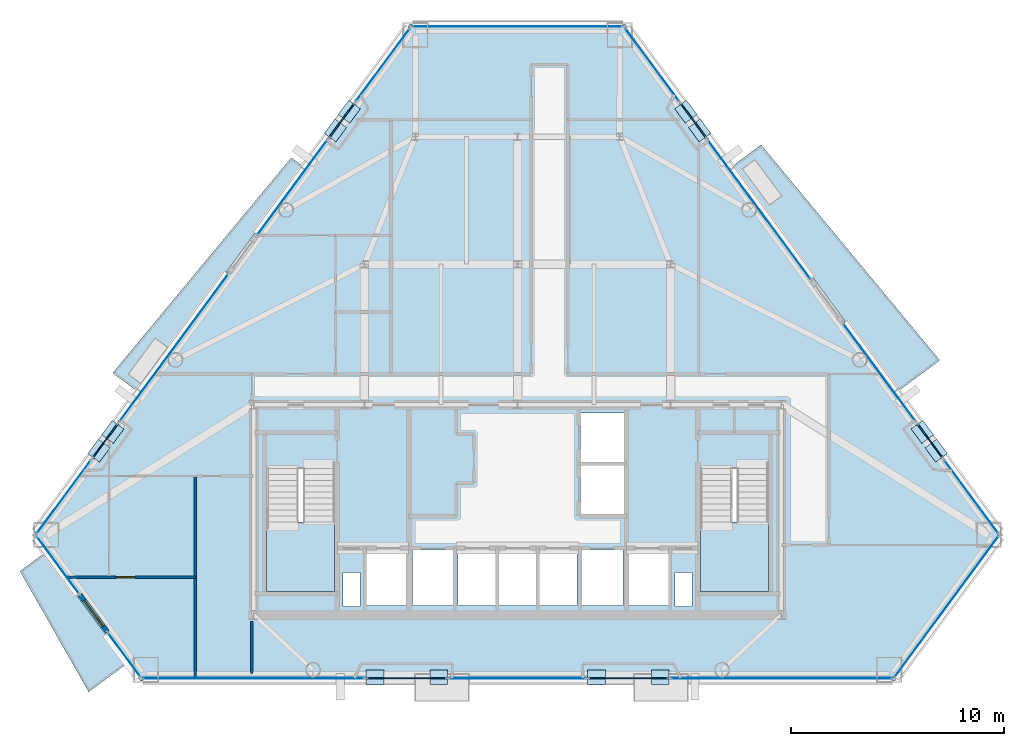
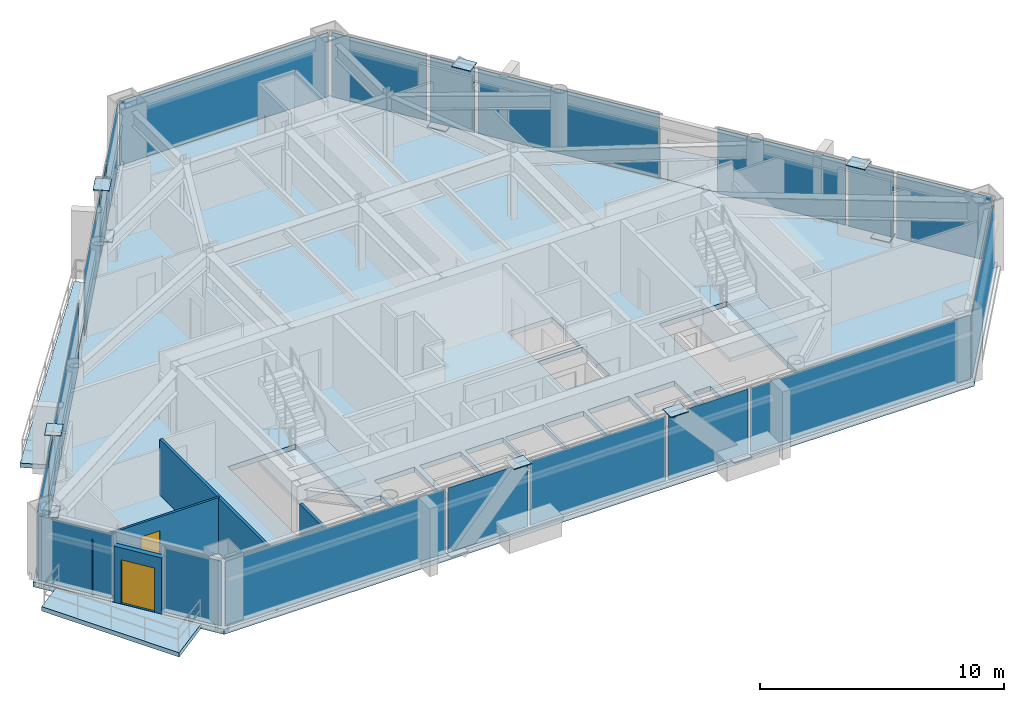
# One storey, part 6 of 11: 33 plates, 6 slabs, 4 walls, 2 doors, 2 openings, 23 elements without a shape of their own.
"""IFC4 building model written with IfcOpenShell, lengths in metres."""

import ifcopenshell
import ifcopenshell.guid

model = None  # the IFC model being written
_history = None  # IfcOwnerHistory: only IFC2X3 demands one
_inside = {}  # id of a spatial element -> (the spatial element, [elements in it])
_under = {}  # id of a project, library or spatial element -> (it, [spatial elements below it])
_declared = {}  # id of a project -> (the project, [libraries it declares])
_typed = {}  # id of a type object -> (the type object, [elements of that type])
_made_of = {}  # id of a material, layer set ... -> (it, [elements and type objects made of it])


def new_model(schema):
    """Start an empty IFC model of exactly this schema.

    Asked for "IFC4X3", IfcOpenShell would pick the latest addendum, in which some entities
    have other attributes; the version numbers below select the first issue.
    IFC2X3 requires an IfcOwnerHistory on every rooted entity: one is made here for all.
    """
    global model, _history
    if schema == "IFC4X3":
        model = ifcopenshell.file(schema_version=(4, 3, 0, 0))
    else:
        model = ifcopenshell.file(schema=schema)
    _inside.clear()
    _under.clear()
    _declared.clear()
    _typed.clear()
    _made_of.clear()
    _history = None
    if model.schema == "IFC2X3":
        org = make("IfcOrganization", Name="unknown")
        user = make(
            "IfcPersonAndOrganization",
            ThePerson=make("IfcPerson", FamilyName="unknown"),
            TheOrganization=org,
        )
        app = make(
            "IfcApplication",
            ApplicationDeveloper=org,
            Version="unknown",
            ApplicationFullName="unknown",
            ApplicationIdentifier="unknown",
        )
        _history = make(
            "IfcOwnerHistory",
            OwningUser=user,
            OwningApplication=app,
            ChangeAction="ADDED",
            CreationDate=0,
        )
    return model


def make(cls, **values):
    """One entity of the class cls with the attributes given. An attribute that is None is left unset."""
    return model.create_entity(
        cls, **{name: value for name, value in values.items() if value is not None}
    )


def rooted(cls, **values):
    """An entity with a GlobalId (a new one), such as an element, a storey or a relation."""
    return make(cls, GlobalId=ifcopenshell.guid.new(), OwnerHistory=_history, **values)


def si_unit(unit_type, name, prefix=None):
    """IfcSIUnit, for example si_unit("LENGTHUNIT", "METRE", prefix="MILLI")."""
    return make("IfcSIUnit", UnitType=unit_type, Prefix=prefix, Name=name)


def assignment(units):
    """IfcUnitAssignment: the units of a project."""
    return None if units is None else make("IfcUnitAssignment", Units=units)


def point(xyz):
    """IfcCartesianPoint."""
    return None if xyz is None else make("IfcCartesianPoint", Coordinates=xyz)


def direction(xyz):
    """IfcDirection."""
    return None if xyz is None else make("IfcDirection", DirectionRatios=xyz)


def frame(location, z_axis=None, x_axis=None):
    """IfcAxis2Placement3D, a coordinate frame: its origin and axes. An axis left out is left unset."""
    return make(
        "IfcAxis2Placement3D",
        Location=point(location),
        Axis=direction(z_axis),
        RefDirection=direction(x_axis),
    )


def frame_2d(location, x_axis=None):
    """IfcAxis2Placement2D, a coordinate frame in the plane: its origin and x axis."""
    return make(
        "IfcAxis2Placement2D", Location=point(location), RefDirection=direction(x_axis)
    )


def origin():
    """The frame at (0, 0, 0) with its axes left unset."""
    return frame((0.0, 0.0, 0.0))


def origin_2d():
    """The frame at (0, 0) in the plane with its x axis left unset."""
    return frame_2d((0.0, 0.0))


def place(relative_to, where):
    """IfcLocalPlacement: puts the frame where relative to a parent placement (None: the world)."""
    return make(
        "IfcLocalPlacement", PlacementRelTo=relative_to, RelativePlacement=where
    )


def context(
    kind, dimensions, precision=None, world=None, true_north=None, identifier=None
):
    """IfcGeometricRepresentationContext, for example the 3D "Model" context."""
    return make(
        "IfcGeometricRepresentationContext",
        ContextIdentifier=identifier,
        ContextType=kind,
        CoordinateSpaceDimension=dimensions,
        Precision=precision,
        WorldCoordinateSystem=world,
        TrueNorth=true_north,
    )


def subcontext(parent, identifier, kind, view, scale=None):
    """IfcGeometricRepresentationSubContext, for example "Body" below "Model"."""
    return make(
        "IfcGeometricRepresentationSubContext",
        ContextIdentifier=identifier,
        ContextType=kind,
        ParentContext=parent,
        TargetScale=scale,
        TargetView=view,
    )


def project(units=None, contexts=None):
    """IfcProject with its units and contexts."""
    return rooted(
        "IfcProject",
        Name="project",
        RepresentationContexts=contexts,
        UnitsInContext=assignment(units),
    )


def spatial(cls, under=None, at=None, **own):
    """A site, building, storey or space (cls), placed at a placement, below another one or the project."""
    s = rooted(cls, ObjectPlacement=at, **own)
    if under is not None:
        _under.setdefault(under.id(), (under, []))[1].append(s)
    return s


def polyline(points):
    """IfcPolyline through the points."""
    return make("IfcPolyline", Points=[point(p) for p in points])


def profile(cls, at=None, kind="AREA", **sizes):
    """A parametric profile (cls). Its sizes go by their IFC names, for example OverallWidth=200.0."""
    return make(cls, ProfileType=kind, Position=at, **sizes)


def rectangle(**sizes):
    """IfcRectangleProfileDef."""
    return profile("IfcRectangleProfileDef", **sizes)


def outline(outer, holes=None, kind="AREA"):
    """IfcArbitraryClosedProfileDef: a profile drawn as a closed curve; with holes, ...WithVoids."""
    if holes is None:
        return make("IfcArbitraryClosedProfileDef", ProfileType=kind, OuterCurve=outer)
    return make(
        "IfcArbitraryProfileDefWithVoids",
        ProfileType=kind,
        OuterCurve=outer,
        InnerCurves=holes,
    )


def extrude(swept, where, along, depth):
    """IfcExtrudedAreaSolid: the profile swept, set in the frame where, extruded along a direction by depth."""
    return make(
        "IfcExtrudedAreaSolid",
        SweptArea=swept,
        Position=where,
        ExtrudedDirection=direction(along),
        Depth=depth,
    )


def shape(context_of_items, identifier, shape_type, items):
    """IfcShapeRepresentation: the items that make up one representation, for example the "Body"."""
    return make(
        "IfcShapeRepresentation",
        ContextOfItems=context_of_items,
        RepresentationIdentifier=identifier,
        RepresentationType=shape_type,
        Items=items,
    )


def source(mapping_origin, context_of_items, identifier, shape_type, items):
    """IfcRepresentationMap: a shape defined once, which mapped items show again and again."""
    return make(
        "IfcRepresentationMap",
        MappingOrigin=mapping_origin,
        MappedRepresentation=shape(context_of_items, identifier, shape_type, items),
    )


def transform(
    local_origin,
    x_axis=None,
    y_axis=None,
    z_axis=None,
    scale=None,
    scale2=None,
    scale3=None,
    uniform=True,
):
    """IfcCartesianTransformationOperator3D, or its non-uniform kind. x_axis, y_axis, z_axis: its Axis1, 2, 3."""
    if uniform:
        return make(
            "IfcCartesianTransformationOperator3D",
            Axis1=direction(x_axis),
            Axis2=direction(y_axis),
            LocalOrigin=point(local_origin),
            Scale=scale,
            Axis3=direction(z_axis),
        )
    return make(
        "IfcCartesianTransformationOperator3DnonUniform",
        Axis1=direction(x_axis),
        Axis2=direction(y_axis),
        LocalOrigin=point(local_origin),
        Scale=scale,
        Axis3=direction(z_axis),
        Scale2=scale2,
        Scale3=scale3,
    )


def mapped(mapping_source, mapping_target):
    """IfcMappedItem: shows the shape of a source again, moved by a transform."""
    return make(
        "IfcMappedItem", MappingSource=mapping_source, MappingTarget=mapping_target
    )


def material(Name=None, Category=None):
    """IfcMaterial."""
    return make("IfcMaterial", Name=Name, Category=Category)


def layer(
    of_material, thickness, ventilated=None, Name=None, Category=None, Priority=None
):
    """IfcMaterialLayer: one layer of a wall or slab, of a material (None: an air gap)."""
    return make(
        "IfcMaterialLayer",
        Material=of_material,
        LayerThickness=thickness,
        IsVentilated=ventilated,
        Name=Name,
        Category=Category,
        Priority=Priority,
    )


def layer_set(layers, Name=None):
    """IfcMaterialLayerSet."""
    return make("IfcMaterialLayerSet", MaterialLayers=layers, LayerSetName=Name)


def made_of(thing, what):
    """Note that an element or type object is made of a material, layer set ...; save() writes the relation."""
    if what is not None:
        _made_of.setdefault(what.id(), (what, []))[1].append(thing)
    return thing


def type_object(cls, material=None, **own):
    """A type object (cls), such as IfcWallType, which elements share."""
    return made_of(rooted(cls, **own), material)


def type_shapes(of_type, sources):
    """Give a type object the sources (RepresentationMaps) that its elements show as mapped items."""
    of_type.RepresentationMaps = sources


def element(
    cls,
    number,
    at=None,
    inside=None,
    cuts=None,
    type_object=None,
    material=None,
    context=None,
    identifier="Body",
    shape_type=None,
    held_by="IfcProductDefinitionShape",
    body=None,
    shapes=None,
    **own,
):
    """One element of the class cls, such as IfcWall. Its Tag is "e" and its number.

    at: its placement. inside: the storey or other place that contains it. cuts: it is an
    opening in that element (IfcRelVoidsElement). A single representation is given by context,
    identifier, shape_type and body (its items); several are given by shapes. held_by: the class
    of the entity that holds the representations. save() writes the other relations.
    """
    e = rooted(cls, Tag="e%d" % number, ObjectPlacement=at, **own)
    if body is not None:
        shapes = [shape(context, identifier, shape_type, body)]
    if shapes is not None:
        e.Representation = make(held_by, Representations=shapes)
    if inside is not None:
        _inside.setdefault(inside.id(), (inside, []))[1].append(e)
    if cuts is not None:
        rooted(
            "IfcRelVoidsElement", RelatingBuildingElement=cuts, RelatedOpeningElement=e
        )
    if type_object is not None:
        _typed.setdefault(type_object.id(), (type_object, []))[1].append(e)
    return made_of(e, material)


def fill(opening, filler):
    """IfcRelFillsElement: the door or window that sits in an opening."""
    return rooted(
        "IfcRelFillsElement",
        RelatingOpeningElement=opening,
        RelatedBuildingElement=filler,
    )


def aggregate(whole, parts):
    """IfcRelAggregates: a whole, such as a stair, and the parts it consists of."""
    return rooted("IfcRelAggregates", RelatingObject=whole, RelatedObjects=parts)


def save(model, path):
    """Write the relations noted so far, then the file.

    IfcRelAggregates (storeys below a building ...), IfcRelContainedInSpatialStructure (elements
    in a storey), IfcRelDefinesByType, IfcRelAssociatesMaterial and IfcRelDeclares: one each for
    every whole, place, type object, material and project.
    """
    for whole, parts in _under.values():
        aggregate(whole, parts)
    for where, things in _inside.values():
        rooted(
            "IfcRelContainedInSpatialStructure",
            RelatedElements=things,
            RelatingStructure=where,
        )
    for kind, things in _typed.values():
        rooted("IfcRelDefinesByType", RelatedObjects=things, RelatingType=kind)
    for what, things in _made_of.values():
        rooted("IfcRelAssociatesMaterial", RelatedObjects=things, RelatingMaterial=what)
    for by, libraries in _declared.values():
        rooted("IfcRelDeclares", RelatingContext=by, RelatedDefinitions=libraries)
    model.write(path)


model = new_model("IFC4")

# Units and contexts
model_context = context("Model", 3, precision=1e-05, world=origin(), true_north=direction((0.0, 1.0)))
body_context = subcontext(model_context, "Body", "Model", "MODEL_VIEW")
ifc_project = project(units=[si_unit("LENGTHUNIT", "METRE"), si_unit("AREAUNIT", "SQUARE_METRE"), si_unit("VOLUMEUNIT", "CUBIC_METRE"), si_unit("PLANEANGLEUNIT", "RADIAN"), si_unit("MASSUNIT", "GRAM", prefix="KILO")], contexts=[model_context])

# Site, building, storey
site_placement = place(None, origin())
site = spatial("IfcSite", under=ifc_project, at=site_placement, CompositionType="ELEMENT")
building_placement = place(site_placement, origin())
building = spatial("IfcBuilding", under=site, at=building_placement, Name="Talgorran Terracotta Tower", CompositionType="ELEMENT")
storey_placement = place(building_placement, frame((0.0, 0.0, 143.699951171875)))
storey = spatial("IfcBuildingStorey", under=building, at=storey_placement, Name="L37", CompositionType="ELEMENT", Elevation=143.699951171875)

# Plates
ifc_material_1 = material(Name="Steel Grade 350 (350L0)", Category="steel")
ifc_layer_1 = layer(ifc_material_1, 0.035888671875, Name="PL_CAP_MN06")
ifc_layer_set_1 = layer_set([ifc_layer_1], Name="Steel Grade 350 (350L0)")
plate_type_1 = type_object("IfcPlateType", Name="PL_CAP_MN06", PredefinedType="USERDEFINED", material=ifc_layer_set_1)
for number, where, z_axis, x_axis, name in (
    (1, (-6.712890625, -17.034423828125, -0.0078125), (0.0, 0.0, 1.0), (1.0, 0.0, 0.0), "L37 Diagonal Frame End Cap SWF Bot"),
    (2, (-3.709716796875, -17.034423828125, 3.322265625), (0.0, 0.0, 1.0), (1.0, 0.0, 0.0), "L37 Diagonal Frame End Cap SWF Top"),
    (3, (6.712890625, -17.034423828125, -0.0078125), (0.0, 0.0, 1.0), (-1.0, 0.0, 0.0), "L37 Diagonal Frame End Cap SEF Bot"),
    (4, (3.709716796875, -17.034423828125, 3.322265625), (0.0, 0.0, 1.0), (-1.0, 0.0, 0.0), "L37 Diagonal Frame End Cap SEF Top"),
    (5, (19.689697265625, -6.368896484375, -0.0078125), (0.0, 0.0, 1.0), (-0.594121062902, 0.80437563527, 0.0), "L37 Diagonal Frame End Cap NEL Bot"),
    (6, (19.037353515625, -5.48583984375, 3.322265625), (0.0, 0.0, 1.0), (-0.594121062902, 0.80437563527, 0.0), "L37 Diagonal Frame End Cap NEL Top"),
    (7, (7.9140625, 9.57568359375, -0.0078125), (0.0, 0.0, 1.0), (0.594121062902, -0.80437563527, 0.0), "L37 Diagonal Frame End Cap NEU Bot"),
    (8, (8.56640625, 8.6923828125, 3.322265625), (0.0, 0.0, 1.0), (0.594121062902, -0.80437563527, 0.0), "L37 Diagonal Frame End Cap NEU Top"),
    (9, (-7.9140625, 9.57568359375, -0.0078125), (0.0, 0.0, 1.0), (-0.594121062902, -0.80437563527, 0.0), "L37 Diagonal Frame End Cap NWU Bot"),
    (10, (-8.56640625, 8.6923828125, 3.322265625), (0.0, 0.0, 1.0), (-0.594121062902, -0.80437563527, 0.0), "L37 Diagonal Frame End Cap NWU Top"),
    (11, (-19.689697265625, -6.368896484375, -0.0078125), (0.0, 0.0, 1.0), (0.594121062902, 0.80437563527, 0.0), "L37 Diagonal Frame End Cap NWL Bot"),
    (12, (-19.037353515625, -5.48583984375, 3.322265625), (0.0, 0.0, 1.0), (0.594121062902, 0.80437563527, 0.0), "L37 Diagonal Frame End Cap NWL Top"),
):
    element("IfcPlate", number, at=place(storey_placement, frame(where, z_axis=z_axis, x_axis=x_axis)), inside=storey, type_object=plate_type_1, Name=name, ObjectType="CAP PLATE", PredefinedType="USERDEFINED", context=body_context, shape_type="SweptSolid", body=[
        extrude(rectangle(XDim=0.840087890625, YDim=0.679931640625, at=origin_2d()), origin(), (0.0, 0.0, 1.0), 0.035888671875),
    ])

# Slabs
ifc_material_2 = material(Name="Concrete C40/50", Category="concrete")
ifc_layer_2 = layer(ifc_material_2, 0.219970703125, Name="SL_BALCONY_220")
ifc_layer_set_2 = layer_set([ifc_layer_2], Name="Concrete C40/50")
slab_type_1 = type_object("IfcSlabType", Name="SL_BALCONY_220", PredefinedType="FLOOR", material=ifc_layer_set_2)
slab_1_placement = place(storey_placement, frame((0.0, 0.0, -0.219970703125)))
element("IfcSlab", 13, at=slab_1_placement, inside=storey, type_object=slab_type_1, Name="L37 Outdoor Wave Balcony BAL-NE", PredefinedType="FLOOR", context=body_context, shape_type="SweptSolid", body=[
    extrude(outline(polyline([(10.049560546875, 6.978759765625), (17.85791015625, -3.59423828125), (19.85791015625, -2.1171875), (11.453857421875, 8.015625), (10.049560546875, 6.978759765625)])), origin(), (0.0, 0.0, 1.0), 0.219970703125),
])
slab_2_placement = place(storey_placement, frame((0.0, 0.0, -0.219970703125)))
element("IfcSlab", 14, at=slab_2_placement, inside=storey, type_object=slab_type_1, Name="L37 Outdoor Wave Balcony BAL-NW", PredefinedType="FLOOR", context=body_context, shape_type="SweptSolid", body=[
    extrude(outline(polyline([(-17.85791015625, -3.59423828125), (-10.049560546875, 6.978515625), (-10.639892578125, 7.41455078125), (-19.043701171875, -2.71826171875), (-17.85791015625, -3.59423828125)])), origin(), (0.0, 0.0, 1.0), 0.219970703125),
])
slab_3_placement = place(storey_placement, frame((0.0, 0.0, -0.219970703125)))
element("IfcSlab", 15, at=slab_3_placement, inside=storey, type_object=slab_type_1, Name="L37 Outdoor Wave Balcony BAL-SW", PredefinedType="FLOOR", context=body_context, shape_type="SweptSolid", body=[
    extrude(outline(polyline([(-18.3662109375, -16.379638671875), (-22.218505859375, -11.163818359375), (-23.40283203125, -12.038330078125), (-20.171630859375, -17.712890625), (-18.3662109375, -16.379638671875)])), origin(), (0.0, 0.0, 1.0), 0.219970703125),
])

# Stair, slab
stair_type = type_object("IfcStairType", Name="ST_FIRE_SCISSOR", PredefinedType="HALF_TURN_STAIR", material=ifc_material_2)
stair_1_placement = place(storey_placement, origin())
stair_1 = element("IfcStair", 16, at=stair_1_placement, inside=storey, type_object=stair_type, Name="L37 West Protected Fire Stair ST-01", PredefinedType="HALF_TURN_STAIR")
ifc_layer_3 = layer(ifc_material_2, 0.199951171875, Name="SL_LANDING_200")
ifc_layer_set_3 = layer_set([ifc_layer_3], Name="Concrete C40/50")
slab_type_2 = type_object("IfcSlabType", Name="SL_LANDING_200", PredefinedType="LANDING", material=ifc_layer_set_3)
slab_4_placement = place(storey_placement, frame((0.0, 0.0, 1.60009765625)))
slab_4 = element("IfcSlab", 17, at=slab_4_placement, type_object=slab_type_2, Name="ST-01 landing 1", PredefinedType="LANDING", context=body_context, shape_type="SweptSolid", body=[
    extrude(outline(polyline([(-11.800048828125, -9.719970703125), (-11.800048828125, -13.0), (-8.60009765625, -13.0), (-8.60009765625, -9.719970703125), (-11.800048828125, -9.719970703125)])), origin(), (0.0, 0.0, 1.0), 0.199951171875),
])
aggregate(stair_1, [slab_4])

stair_2_placement = place(storey_placement, origin())
stair_2 = element("IfcStair", 18, at=stair_2_placement, inside=storey, type_object=stair_type, Name="L37 East Protected Fire Stair ST-02", PredefinedType="HALF_TURN_STAIR")
slab_5_placement = place(storey_placement, frame((0.0, 0.0, 1.60009765625)))
slab_5 = element("IfcSlab", 19, at=slab_5_placement, type_object=slab_type_2, Name="ST-02 landing 1", PredefinedType="LANDING", context=body_context, shape_type="SweptSolid", body=[
    extrude(outline(polyline([(8.60009765625, -9.719970703125), (8.60009765625, -13.0), (11.800048828125, -13.0), (11.800048828125, -9.719970703125), (8.60009765625, -9.719970703125)])), origin(), (0.0, 0.0, 1.0), 0.199951171875),
])
aggregate(stair_2, [slab_5])

# Slab
ifc_layer_4 = layer(ifc_material_2, 0.25, Name="SL_TOWER_250")
ifc_layer_set_4 = layer_set([ifc_layer_4], Name="Concrete C40/50")
slab_type_3 = type_object("IfcSlabType", Name="SL_TOWER_250", PredefinedType="FLOOR", material=ifc_layer_set_4)
slab_6_placement = place(storey_placement, frame((0.0, 0.0, -0.25)))
element("IfcSlab", 20, at=slab_6_placement, inside=storey, type_object=slab_type_3, Name="Storey L37 Structural Floor Slab", PredefinedType="FLOOR", context=body_context, shape_type="SweptSolid", body=[
    extrude(outline(polyline([(-22.814697265625, -10.331298828125), (-17.74609375, -17.1943359375), (17.74609375, -17.1943359375), (22.814697265625, -10.331298828125), (5.068603515625, 13.697998046875), (-5.068603515625, 13.697998046875), (-22.814697265625, -10.331298828125)]), holes=[polyline([(-11.800048828125, -7.199951171875), (-11.800048828125, -13.0), (-8.60009765625, -13.0), (-8.60009765625, -7.199951171875), (-11.800048828125, -7.199951171875)]), polyline([(8.60009765625, -7.199951171875), (8.60009765625, -13.0), (11.800048828125, -13.0), (11.800048828125, -7.199951171875), (8.60009765625, -7.199951171875)]), polyline([(-7.10009765625, -13.64990234375), (-5.199951171875, -13.64990234375), (-5.199951171875, -11.050048828125), (-7.10009765625, -11.050048828125), (-7.10009765625, -13.64990234375)]), polyline([(5.199951171875, -13.64990234375), (7.10009765625, -13.64990234375), (7.10009765625, -11.050048828125), (5.199951171875, -11.050048828125), (5.199951171875, -13.64990234375)]), polyline([(3.0, -13.64990234375), (4.949951171875, -13.64990234375), (4.949951171875, -11.050048828125), (3.0, -11.050048828125), (3.0, -13.64990234375)]), polyline([(-4.949951171875, -13.64990234375), (-3.0, -13.64990234375), (-3.0, -11.050048828125), (-4.949951171875, -11.050048828125), (-4.949951171875, -13.64990234375)]), polyline([(2.949951171875, -9.35009765625), (5.050048828125, -9.35009765625), (5.050048828125, -7.050048828125), (2.949951171875, -7.050048828125), (2.949951171875, -9.35009765625)]), polyline([(2.949951171875, -6.89990234375), (5.050048828125, -6.89990234375), (5.050048828125, -4.60009765625), (2.949951171875, -4.60009765625), (2.949951171875, -6.89990234375)]), polyline([(-2.800048828125, -13.64990234375), (-1.0, -13.64990234375), (-1.0, -11.050048828125), (-2.800048828125, -11.050048828125), (-2.800048828125, -13.64990234375)]), polyline([(-0.89990234375, -13.64990234375), (0.89990234375, -13.64990234375), (0.89990234375, -11.050048828125), (-0.89990234375, -11.050048828125), (-0.89990234375, -13.64990234375)]), polyline([(1.0, -13.64990234375), (2.800048828125, -13.64990234375), (2.800048828125, -11.050048828125), (1.0, -11.050048828125), (1.0, -13.64990234375)]), polyline([(-8.199951171875, -13.699951171875), (-7.39990234375, -13.699951171875), (-7.39990234375, -12.10009765625), (-8.199951171875, -12.10009765625), (-8.199951171875, -13.699951171875)]), polyline([(7.39990234375, -13.699951171875), (8.199951171875, -13.699951171875), (8.199951171875, -12.10009765625), (7.39990234375, -12.10009765625), (7.39990234375, -13.699951171875)])]), origin(), (0.0, 0.0, 1.0), 0.25),
])

# Curtain wall, plate
ifc_material_3 = material(Name="Unitised Low-E Double Glazing", Category="glass")
ifc_layer_5 = layer(ifc_material_3, 0.199951171875, Name="CW_SYS2_RES_LOW")
ifc_layer_set_5 = layer_set([ifc_layer_5], Name="Unitised Low-E Double Glazing")
curtain_wall_type = type_object("IfcCurtainWallType", Name="CW_SYS2_RES_LOW", PredefinedType="NOTDEFINED", material=ifc_layer_set_5)
curtain_wall_1_placement = place(storey_placement, origin())
curtain_wall_1 = element("IfcCurtainWall", 21, at=curtain_wall_1_placement, inside=storey, type_object=curtain_wall_type, Name="CW-L37-F10", PredefinedType="NOTDEFINED")
ifc_material_4 = material(Name="Low-E Laminated Vision Glass", Category="glass")
ifc_layer_6 = layer(ifc_material_4, 0.028076171875, Name="PLT_VISION_28")
ifc_layer_set_6 = layer_set([ifc_layer_6], Name="Low-E Laminated Vision Glass")
plate_type_2 = type_object("IfcPlateType", Name="PLT_VISION_28", PredefinedType="CURTAIN_PANEL", material=ifc_layer_set_6)
shared_shape_1 = source(origin(), body_context, "Body", "SweptSolid", [
    extrude(rectangle(XDim=3.335693359375, YDim=0.028076171875, at=origin_2d()), origin(), (0.0, 0.0, 1.0), 3.219970703125),
])
plate_1_placement = place(storey_placement, frame((-21.6123046875, -11.75732421875, 0.06494140625), z_axis=(0.0, 0.0, 1.0), x_axis=(0.594069742369, -0.804413538674, 0.0)))
plate_1 = element("IfcPlate", 22, at=plate_1_placement, type_object=plate_type_2, Name="CW-L37-10 panel 1.1", PredefinedType="CURTAIN_PANEL", context=body_context, shape_type="MappedRepresentation", body=[
    mapped(shared_shape_1, transform((0.0, 0.0, 0.0), scale=1.0)),
])
aggregate(curtain_wall_1, [plate_1])

curtain_wall_2_placement = place(storey_placement, origin())
curtain_wall_2 = element("IfcCurtainWall", 23, at=curtain_wall_2_placement, inside=storey, type_object=curtain_wall_type, Name="CW-L37-F11", PredefinedType="NOTDEFINED")
shared_shape_2 = source(origin(), body_context, "Body", "SweptSolid", [
    extrude(rectangle(XDim=2.546875, YDim=0.028076171875, at=origin_2d()), origin(), (0.0, 0.0, 1.0), 3.219970703125),
])
plate_2_placement = place(storey_placement, frame((-18.50439453125, -15.965576171875, 0.06494140625), z_axis=(0.0, 0.0, 1.0), x_axis=(0.594066457167, -0.804415964827, 0.0)))
plate_2 = element("IfcPlate", 24, at=plate_2_placement, type_object=plate_type_2, Name="CW-L37-11 panel 1.1", PredefinedType="CURTAIN_PANEL", context=body_context, shape_type="MappedRepresentation", body=[
    mapped(shared_shape_2, transform((0.0, 0.0, 0.0), scale=1.0)),
])
aggregate(curtain_wall_2, [plate_2])

curtain_wall_3_placement = place(storey_placement, origin())
curtain_wall_3 = element("IfcCurtainWall", 25, at=curtain_wall_3_placement, inside=storey, type_object=curtain_wall_type, Name="CW-L37-F1", PredefinedType="NOTDEFINED")
shared_shape_3 = source(origin(), body_context, "Body", "SweptSolid", [
    extrude(rectangle(XDim=10.395263671875, YDim=0.028076171875, at=origin_2d()), origin(), (0.0, 0.0, 1.0), 3.219970703125),
])
plate_3_placement = place(storey_placement, frame((-12.4228515625, -17.074462890625, 0.06494140625), z_axis=(0.0, 0.0, 1.0), x_axis=(1.0, 0.0, 0.0)))
plate_3 = element("IfcPlate", 26, at=plate_3_placement, type_object=plate_type_2, Name="CW-L37-1 panel 1.1", PredefinedType="CURTAIN_PANEL", context=body_context, shape_type="MappedRepresentation", body=[
    mapped(shared_shape_3, transform((0.0, 0.0, 0.0), scale=1.0)),
])
aggregate(curtain_wall_3, [plate_3])

curtain_wall_4_placement = place(storey_placement, origin())
curtain_wall_4 = element("IfcCurtainWall", 27, at=curtain_wall_4_placement, inside=storey, type_object=curtain_wall_type, Name="CW-L37-F1E", PredefinedType="NOTDEFINED")
plate_4_placement = place(storey_placement, frame((12.4228515625, -17.074462890625, 0.06494140625), z_axis=(0.0, 0.0, 1.0), x_axis=(1.0, 0.0, 0.0)))
plate_4 = element("IfcPlate", 28, at=plate_4_placement, type_object=plate_type_2, Name="CW-L37-1E panel 1.1", PredefinedType="CURTAIN_PANEL", context=body_context, shape_type="MappedRepresentation", body=[
    mapped(shared_shape_3, transform((0.0, 0.0, 0.0), scale=1.0)),
])
aggregate(curtain_wall_4, [plate_4])

curtain_wall_5_placement = place(storey_placement, origin())
curtain_wall_5 = element("IfcCurtainWall", 29, at=curtain_wall_5_placement, inside=storey, type_object=curtain_wall_type, Name="CW-L37-F1B", PredefinedType="NOTDEFINED")
ifc_material_5 = material(Name="Terracotta Insulated Spandrel", Category="masonry")
ifc_layer_7 = layer(ifc_material_5, 0.06494140625, Name="PLT_SPANDREL_TERRA")
ifc_layer_set_7 = layer_set([ifc_layer_7], Name="Terracotta Insulated Spandrel")
plate_type_3 = type_object("IfcPlateType", Name="PLT_SPANDREL_TERRA", PredefinedType="SHEET", material=ifc_layer_set_7)
shared_shape_4 = source(origin(), body_context, "Body", "SweptSolid", [
    extrude(rectangle(XDim=3.747802734375, YDim=0.06494140625, at=origin_2d()), origin(), (0.0, 0.0, 1.0), 3.219970703125),
])
plate_5_placement = place(storey_placement, frame((-5.211181640625, -17.074462890625, 0.06494140625), z_axis=(0.0, 0.0, 1.0), x_axis=(1.0, 0.0, 0.0)))
plate_5 = element("IfcPlate", 30, at=plate_5_placement, type_object=plate_type_3, Name="CW-L37-1B panel 1.1", PredefinedType="CURTAIN_PANEL", context=body_context, shape_type="MappedRepresentation", body=[
    mapped(shared_shape_4, transform((0.0, 0.0, 0.0), scale=1.0)),
])
aggregate(curtain_wall_5, [plate_5])

curtain_wall_6_placement = place(storey_placement, origin())
curtain_wall_6 = element("IfcCurtainWall", 31, at=curtain_wall_6_placement, inside=storey, type_object=curtain_wall_type, Name="CW-L37-F1D", PredefinedType="NOTDEFINED")
plate_6_placement = place(storey_placement, frame((5.211181640625, -17.074462890625, 0.06494140625), z_axis=(0.0, 0.0, 1.0), x_axis=(1.0, 0.0, 0.0)))
plate_6 = element("IfcPlate", 32, at=plate_6_placement, type_object=plate_type_3, Name="CW-L37-1D panel 1.1", PredefinedType="CURTAIN_PANEL", context=body_context, shape_type="MappedRepresentation", body=[
    mapped(shared_shape_4, transform((0.0, 0.0, 0.0), scale=1.0)),
])
aggregate(curtain_wall_6, [plate_6])

curtain_wall_7_placement = place(storey_placement, origin())
curtain_wall_7 = element("IfcCurtainWall", 33, at=curtain_wall_7_placement, inside=storey, type_object=curtain_wall_type, Name="CW-L37-F1C", PredefinedType="NOTDEFINED")
shared_shape_5 = source(origin(), body_context, "Body", "SweptSolid", [
    extrude(rectangle(XDim=6.394775390625, YDim=0.028076171875, at=origin_2d()), origin(), (0.0, 0.0, 1.0), 3.219970703125),
])
plate_7_placement = place(storey_placement, frame((0.0, -17.074462890625, 0.06494140625), z_axis=(0.0, 0.0, 1.0), x_axis=(1.0, 0.0, 0.0)))
plate_7 = element("IfcPlate", 34, at=plate_7_placement, type_object=plate_type_2, Name="CW-L37-1C panel 1.1", PredefinedType="CURTAIN_PANEL", context=body_context, shape_type="MappedRepresentation", body=[
    mapped(shared_shape_5, transform((0.0, 0.0, 0.0), scale=1.0)),
])
aggregate(curtain_wall_7, [plate_7])

curtain_wall_8_placement = place(storey_placement, origin())
curtain_wall_8 = element("IfcCurtainWall", 35, at=curtain_wall_8_placement, inside=storey, type_object=curtain_wall_type, Name="CW-L37-F2", PredefinedType="NOTDEFINED")
shared_shape_6 = source(origin(), body_context, "Body", "SweptSolid", [
    extrude(rectangle(XDim=8.2529296875, YDim=0.028076171875, at=origin_2d()), origin(), (0.0, 0.0, 1.0), 3.219970703125),
])
plate_8_placement = place(storey_placement, frame((20.175537109375, -13.702880859375, 0.06494140625), z_axis=(0.0, 0.0, 1.0), x_axis=(0.594082099689, 0.804404412487, 0.0)))
plate_8 = element("IfcPlate", 36, at=plate_8_placement, type_object=plate_type_2, Name="CW-L37-2 panel 1.1", PredefinedType="CURTAIN_PANEL", context=body_context, shape_type="MappedRepresentation", body=[
    mapped(shared_shape_6, transform((0.0, 0.0, 0.0), scale=1.0)),
])
aggregate(curtain_wall_8, [plate_8])

curtain_wall_9_placement = place(storey_placement, origin())
curtain_wall_9 = element("IfcCurtainWall", 37, at=curtain_wall_9_placement, inside=storey, type_object=curtain_wall_type, Name="CW-L37-F40", PredefinedType="NOTDEFINED")
shared_shape_7 = source(origin(), body_context, "Body", "SweptSolid", [
    extrude(rectangle(XDim=4.259033203125, YDim=0.028076171875, at=origin_2d()), origin(), (0.0, 0.0, 1.0), 3.219970703125),
])
plate_9_placement = place(storey_placement, frame((21.337890625, -8.53369140625, 0.06494140625), z_axis=(0.0, 0.0, 1.0), x_axis=(-0.594070700604, 0.804412831004, 0.0)))
plate_9 = element("IfcPlate", 38, at=plate_9_placement, type_object=plate_type_2, Name="CW-L37-40 panel 1.1", PredefinedType="CURTAIN_PANEL", context=body_context, shape_type="MappedRepresentation", body=[
    mapped(shared_shape_7, transform((0.0, 0.0, 0.0), scale=1.0)),
])
aggregate(curtain_wall_9, [plate_9])

curtain_wall_10_placement = place(storey_placement, origin())
curtain_wall_10 = element("IfcCurtainWall", 39, at=curtain_wall_10_placement, inside=storey, type_object=curtain_wall_type, Name="CW-L37-F61C", PredefinedType="NOTDEFINED")
plate_10_placement = place(storey_placement, frame((-21.337890625, -8.53369140625, 0.06494140625), z_axis=(0.0, 0.0, 1.0), x_axis=(-0.594070700604, -0.804412831004, 0.0)))
plate_10 = element("IfcPlate", 40, at=plate_10_placement, type_object=plate_type_2, Name="CW-L37-61C panel 1.1", PredefinedType="CURTAIN_PANEL", context=body_context, shape_type="MappedRepresentation", body=[
    mapped(shared_shape_7, transform((0.0, 0.0, 0.0), scale=1.0)),
])
aggregate(curtain_wall_10, [plate_10])

curtain_wall_11_placement = place(storey_placement, origin())
curtain_wall_11 = element("IfcCurtainWall", 41, at=curtain_wall_11_placement, inside=storey, type_object=curtain_wall_type, Name="CW-L37-F40B", PredefinedType="NOTDEFINED")
shared_shape_8 = source(origin(), body_context, "Body", "SweptSolid", [
    extrude(rectangle(XDim=2.000244140625, YDim=0.06494140625, at=origin_2d()), origin(), (0.0, 0.0, 1.0), 3.219970703125),
])
type_shapes(plate_type_3, [shared_shape_4, shared_shape_8])
plate_11_placement = place(storey_placement, frame((19.3955078125, -5.903564453125, 0.06494140625), z_axis=(0.0, 0.0, 1.0), x_axis=(-0.594064992951, 0.804417046158, 0.0)))
plate_11 = element("IfcPlate", 42, at=plate_11_placement, type_object=plate_type_3, Name="CW-L37-40B panel 1.1", PredefinedType="CURTAIN_PANEL", context=body_context, shape_type="MappedRepresentation", body=[
    mapped(shared_shape_8, transform((0.0, 0.0, 0.0), scale=1.0)),
])
aggregate(curtain_wall_11, [plate_11])

curtain_wall_12_placement = place(storey_placement, origin())
curtain_wall_12 = element("IfcCurtainWall", 43, at=curtain_wall_12_placement, inside=storey, type_object=curtain_wall_type, Name="CW-L37-F41B", PredefinedType="NOTDEFINED")
plate_12_placement = place(storey_placement, frame((8.2724609375, 9.15771484375, 0.06494140625), z_axis=(0.0, 0.0, 1.0), x_axis=(-0.594064992951, 0.804417046158, 0.0)))
plate_12 = element("IfcPlate", 44, at=plate_12_placement, type_object=plate_type_3, Name="CW-L37-41B panel 1.1", PredefinedType="CURTAIN_PANEL", context=body_context, shape_type="MappedRepresentation", body=[
    mapped(shared_shape_8, transform((0.0, 0.0, 0.0), scale=1.0)),
])
aggregate(curtain_wall_12, [plate_12])

curtain_wall_13_placement = place(storey_placement, origin())
curtain_wall_13 = element("IfcCurtainWall", 45, at=curtain_wall_13_placement, inside=storey, type_object=curtain_wall_type, Name="CW-L37-F60B", PredefinedType="NOTDEFINED")
plate_13_placement = place(storey_placement, frame((-8.2724609375, 9.15771484375, 0.06494140625), z_axis=(0.0, 0.0, 1.0), x_axis=(-0.594064992951, -0.804417046158, 0.0)))
plate_13 = element("IfcPlate", 46, at=plate_13_placement, type_object=plate_type_3, Name="CW-L37-60B panel 1.1", PredefinedType="CURTAIN_PANEL", context=body_context, shape_type="MappedRepresentation", body=[
    mapped(shared_shape_8, transform((0.0, 0.0, 0.0), scale=1.0)),
])
aggregate(curtain_wall_13, [plate_13])

curtain_wall_14_placement = place(storey_placement, origin())
curtain_wall_14 = element("IfcCurtainWall", 47, at=curtain_wall_14_placement, inside=storey, type_object=curtain_wall_type, Name="CW-L37-F61B", PredefinedType="NOTDEFINED")
plate_14_placement = place(storey_placement, frame((-19.3955078125, -5.903564453125, 0.06494140625), z_axis=(0.0, 0.0, 1.0), x_axis=(-0.594064992951, -0.804417046158, 0.0)))
plate_14 = element("IfcPlate", 48, at=plate_14_placement, type_object=plate_type_3, Name="CW-L37-61B panel 1.1", PredefinedType="CURTAIN_PANEL", context=body_context, shape_type="MappedRepresentation", body=[
    mapped(shared_shape_8, transform((0.0, 0.0, 0.0), scale=1.0)),
])
aggregate(curtain_wall_14, [plate_14])

curtain_wall_15_placement = place(storey_placement, origin())
curtain_wall_15 = element("IfcCurtainWall", 49, at=curtain_wall_15_placement, inside=storey, type_object=curtain_wall_type, Name="CW-L37-F40C", PredefinedType="NOTDEFINED")
shared_shape_9 = source(origin(), body_context, "Body", "SweptSolid", [
    extrude(rectangle(XDim=5.72119140625, YDim=0.028076171875, at=origin_2d()), origin(), (0.0, 0.0, 1.0), 3.219970703125),
])
plate_15_placement = place(storey_placement, frame((17.018798828125, -2.685302734375, 0.06494140625), z_axis=(0.0, 0.0, 1.0), x_axis=(-0.594077226369, 0.804408011589, 0.0)))
plate_15 = element("IfcPlate", 50, at=plate_15_placement, type_object=plate_type_2, Name="CW-L37-40C panel 1.1", PredefinedType="CURTAIN_PANEL", context=body_context, shape_type="MappedRepresentation", body=[
    mapped(shared_shape_9, transform((0.0, 0.0, 0.0), scale=1.0)),
])
aggregate(curtain_wall_15, [plate_15])

curtain_wall_16_placement = place(storey_placement, origin())
curtain_wall_16 = element("IfcCurtainWall", 51, at=curtain_wall_16_placement, inside=storey, type_object=curtain_wall_type, Name="CW-L37-F41", PredefinedType="NOTDEFINED")
shared_shape_10 = source(origin(), body_context, "Body", "SweptSolid", [
    extrude(rectangle(XDim=8.132080078125, YDim=0.028076171875, at=origin_2d()), origin(), (0.0, 0.0, 1.0), 3.219970703125),
])
plate_16_placement = place(storey_placement, frame((11.365234375, 4.969970703125, 0.06494140625), z_axis=(0.0, 0.0, 1.0), x_axis=(-0.594069416228, 0.804413779533, 0.0)))
plate_16 = element("IfcPlate", 52, at=plate_16_placement, type_object=plate_type_2, Name="CW-L37-41 panel 1.1", PredefinedType="CURTAIN_PANEL", context=body_context, shape_type="MappedRepresentation", body=[
    mapped(shared_shape_10, transform((0.0, 0.0, 0.0), scale=1.0)),
])
aggregate(curtain_wall_16, [plate_16])

curtain_wall_17_placement = place(storey_placement, origin())
curtain_wall_17 = element("IfcCurtainWall", 53, at=curtain_wall_17_placement, inside=storey, type_object=curtain_wall_type, Name="CW-L37-F41C", PredefinedType="NOTDEFINED")
shared_shape_11 = source(origin(), body_context, "Body", "SweptSolid", [
    extrude(rectangle(XDim=4.249755859375, YDim=0.028076171875, at=origin_2d()), origin(), (0.0, 0.0, 1.0), 3.219970703125),
])
plate_17_placement = place(storey_placement, frame((6.332763671875, 11.7841796875, 0.06494140625), z_axis=(0.0, 0.0, 1.0), x_axis=(-0.59407644195, 0.804408590904, 0.0)))
plate_17 = element("IfcPlate", 54, at=plate_17_placement, type_object=plate_type_2, Name="CW-L37-41C panel 1.1", PredefinedType="CURTAIN_PANEL", context=body_context, shape_type="MappedRepresentation", body=[
    mapped(shared_shape_11, transform((0.0, 0.0, 0.0), scale=1.0)),
])
aggregate(curtain_wall_17, [plate_17])

curtain_wall_18_placement = place(storey_placement, origin())
curtain_wall_18 = element("IfcCurtainWall", 55, at=curtain_wall_18_placement, inside=storey, type_object=curtain_wall_type, Name="CW-L37-F60", PredefinedType="NOTDEFINED")
plate_18_placement = place(storey_placement, frame((-6.332763671875, 11.7841796875, 0.06494140625), z_axis=(0.0, 0.0, 1.0), x_axis=(-0.59407644195, -0.804408590904, 0.0)))
plate_18 = element("IfcPlate", 56, at=plate_18_placement, type_object=plate_type_2, Name="CW-L37-60 panel 1.1", PredefinedType="CURTAIN_PANEL", context=body_context, shape_type="MappedRepresentation", body=[
    mapped(shared_shape_11, transform((0.0, 0.0, 0.0), scale=1.0)),
])
aggregate(curtain_wall_18, [plate_18])

curtain_wall_19_placement = place(storey_placement, origin())
curtain_wall_19 = element("IfcCurtainWall", 57, at=curtain_wall_19_placement, inside=storey, type_object=curtain_wall_type, Name="CW-L37-F4", PredefinedType="NOTDEFINED")
shared_shape_12 = source(origin(), body_context, "Body", "SweptSolid", [
    extrude(rectangle(XDim=9.885986328125, YDim=0.028076171875, at=origin_2d()), origin(), (0.0, 0.0, 1.0), 3.219970703125),
])
plate_19_placement = place(storey_placement, frame((0.0, 13.577880859375, 0.06494140625), z_axis=(0.0, 0.0, 1.0), x_axis=(-1.0, 0.0, 0.0)))
plate_19 = element("IfcPlate", 58, at=plate_19_placement, type_object=plate_type_2, Name="CW-L37-4 panel 1.1", PredefinedType="CURTAIN_PANEL", context=body_context, shape_type="MappedRepresentation", body=[
    mapped(shared_shape_12, transform((0.0, 0.0, 0.0), scale=1.0)),
])
aggregate(curtain_wall_19, [plate_19])

curtain_wall_20_placement = place(storey_placement, origin())
curtain_wall_20 = element("IfcCurtainWall", 59, at=curtain_wall_20_placement, inside=storey, type_object=curtain_wall_type, Name="CW-L37-F60C", PredefinedType="NOTDEFINED")
shared_shape_13 = source(origin(), body_context, "Body", "SweptSolid", [
    extrude(rectangle(XDim=5.54345703125, YDim=0.028076171875, at=origin_2d()), origin(), (0.0, 0.0, 1.0), 3.219970703125),
])
plate_20_placement = place(storey_placement, frame((-10.596435546875, 6.010986328125, 0.06494140625), z_axis=(0.0, 0.0, 1.0), x_axis=(-0.594069874918, -0.804413440785, 0.0)))
plate_20 = element("IfcPlate", 60, at=plate_20_placement, type_object=plate_type_2, Name="CW-L37-60C panel 1.1", PredefinedType="CURTAIN_PANEL", context=body_context, shape_type="MappedRepresentation", body=[
    mapped(shared_shape_13, transform((0.0, 0.0, 0.0), scale=1.0)),
])
aggregate(curtain_wall_20, [plate_20])

curtain_wall_21_placement = place(storey_placement, origin())
curtain_wall_21 = element("IfcCurtainWall", 61, at=curtain_wall_21_placement, inside=storey, type_object=curtain_wall_type, Name="CW-L37-F61", PredefinedType="NOTDEFINED")
shared_shape_14 = source(origin(), body_context, "Body", "SweptSolid", [
    extrude(rectangle(XDim=8.60986328125, YDim=0.028076171875, at=origin_2d()), origin(), (0.0, 0.0, 1.0), 3.219970703125),
])
type_shapes(plate_type_2, [shared_shape_1, shared_shape_2, shared_shape_3, shared_shape_5, shared_shape_6, shared_shape_7, shared_shape_9, shared_shape_10, shared_shape_11, shared_shape_12, shared_shape_13, shared_shape_14])
plate_21_placement = place(storey_placement, frame((-16.160888671875, -1.523681640625, 0.06494140625), z_axis=(0.0, 0.0, 1.0), x_axis=(-0.594074125066, -0.804410301977, 0.0)))
plate_21 = element("IfcPlate", 62, at=plate_21_placement, type_object=plate_type_2, Name="CW-L37-61 panel 1.1", PredefinedType="CURTAIN_PANEL", context=body_context, shape_type="MappedRepresentation", body=[
    mapped(shared_shape_14, transform((0.0, 0.0, 0.0), scale=1.0)),
])
aggregate(curtain_wall_21, [plate_21])

# Wall, opening, door
ifc_layer_8 = layer(ifc_material_2, 0.239990234375, Name="WT_BALCONY_SPAND")
ifc_layer_set_8 = layer_set([ifc_layer_8], Name="Concrete C40/50")
wall_type_1 = type_object("IfcWallType", Name="WT_BALCONY_SPAND", PredefinedType="STANDARD", material=ifc_layer_set_8)
wall_1_placement = place(storey_placement, frame((-20.576904296875, -13.1591796875, -0.014892578125), z_axis=(0.0, 0.0, 1.0), x_axis=(0.59407028248, -0.804413139794, 0.0)))
wall_1 = element("IfcWall", 63, at=wall_1_placement, inside=storey, type_object=wall_type_1, Name="WL-L37-BALP-BAL-SW", PredefinedType="STANDARD", context=body_context, shape_type="SweptSolid", body=[
    extrude(rectangle(XDim=2.140380859375, YDim=0.239990234375, at=frame_2d((1.0703125, 0.0))), origin(), (0.0, 0.0, 1.0), 2.806884765625),
])
opening_1_placement = place(wall_1_placement, frame((0.320068359375, 0.0, 0.014892578125)))
opening_1 = element("IfcOpeningElement", 64, at=opening_1_placement, cuts=wall_1, Name="Opening D-BAL-L37-3", PredefinedType="OPENING", context=body_context, shape_type="SweptSolid", body=[
    extrude(rectangle(XDim=1.506, YDim=2.203951171875, at=frame_2d((0.75, 1.10205078125))), frame((0.0, 0.1298828125, 0.0), z_axis=(0.0, -1.0, 0.0), x_axis=(1.0, 0.0, 0.0)), (0.0, 0.0, 1.0), 0.260009765625),
])
ifc_material_6 = material(Name="Thermally Broken Aluminium", Category="aluminium")
door_type_1 = type_object("IfcDoorType", Name="DT_BALC_1500", OperationType="SLIDING_TO_RIGHT", PredefinedType="DOOR", material=ifc_material_6)
door_1_placement = place(opening_1_placement, origin())
door_1 = element("IfcDoor", 65, at=door_1_placement, inside=storey, type_object=door_type_1, Name="DR-L37-BAL-BAL-SW", OperationType="SLIDING_TO_RIGHT", OverallHeight=2.199951171875, OverallWidth=1.5, PredefinedType="DOOR", context=body_context, shape_type="SweptSolid", body=[
    extrude(rectangle(XDim=1.5, YDim=2.199951171875, at=frame_2d((0.75, 1.10009765625))), frame((0.0, 0.02490234375, 0.0), z_axis=(0.0, -1.0, 0.0), x_axis=(1.0, 0.0, 0.0)), (0.0, 0.0, 1.0), 0.050048828125),
])
fill(opening_1, door_1)

ifc_material_7 = material(Name="Lightweight Steel Stud Partition", Category="steel")
ifc_layer_9 = layer(ifc_material_7, 0.10498046875, Name="WT_PART_110")
ifc_layer_set_9 = layer_set([ifc_layer_9], Name="Lightweight Steel Stud Partition")
wall_type_2 = type_object("IfcWallType", Name="WT_PART_110", PredefinedType="PARTITIONING", material=ifc_layer_set_9)
wall_2_placement = place(storey_placement, frame((-21.19677734375, -12.320068359375, 0.0), z_axis=(0.0, 0.0, 1.0), x_axis=(1.0, 0.0, 0.0)))
wall_2 = element("IfcWall", 66, at=wall_2_placement, inside=storey, type_object=wall_type_2, Name="WL-L37-W-L37-R20", PredefinedType="PARTITIONING", context=body_context, shape_type="SweptSolid", body=[
    extrude(rectangle(XDim=6.036865234375, YDim=0.10498046875, at=frame_2d((3.0185546875, 0.0))), origin(), (0.0, 0.0, 1.0), 2.7919921875),
])
opening_2_placement = place(wall_2_placement, frame((2.31298828125, 0.0, 0.0)))
opening_2 = element("IfcOpeningElement", 67, at=opening_2_placement, cuts=wall_2, Name="Opening DR-L37-R03", PredefinedType="OPENING", context=body_context, shape_type="SweptSolid", body=[
    extrude(rectangle(XDim=0.8858828125, YDim=2.10409765625, at=frame_2d((0.43994140625, 1.052001953125))), frame((0.0, 0.0625, 0.0), z_axis=(0.0, -1.0, 0.0), x_axis=(1.0, 0.0, 0.0)), (0.0, 0.0, 1.0), 0.125),
])
ifc_material_8 = material(Name="Solid-Core Painted Timber", Category="wood")
door_type_2 = type_object("IfcDoorType", Name="DT_INT_880", OperationType="NOTDEFINED", PredefinedType="DOOR", material=ifc_material_8)
door_2_placement = place(opening_2_placement, origin())
door_2 = element("IfcDoor", 68, at=door_2_placement, inside=storey, type_object=door_type_2, Name="DR-L37-R03", OperationType="SINGLE_SWING_LEFT", OverallHeight=2.10009765625, OverallWidth=0.8798828125, PredefinedType="DOOR", context=body_context, shape_type="SweptSolid", body=[
    extrude(rectangle(XDim=0.8798828125, YDim=2.10009765625, at=frame_2d((0.43994140625, 1.050048828125))), frame((0.0, 0.02490234375, 0.0), z_axis=(0.0, -1.0, 0.0), x_axis=(1.0, 0.0, 0.0)), (0.0, 0.0, 1.0), 0.050048828125),
])
fill(opening_2, door_2)

# Walls
ifc_material_9 = material(Name="Moisture-Resistant Stud Wall")
ifc_layer_10 = layer(ifc_material_9, 0.135009765625, Name="WT_PART_135")
ifc_layer_set_10 = layer_set([ifc_layer_10], Name="Moisture-Resistant Stud Wall")
wall_type_3 = type_object("IfcWallType", Name="WT_PART_135", PredefinedType="PARTITIONING", material=ifc_layer_set_10)
wall_3_placement = place(storey_placement, frame((-15.159912109375, -17.074462890625, 0.0), z_axis=(0.0, 0.0, 1.0), x_axis=(0.0, 1.0, 0.0)))
element("IfcWall", 69, at=wall_3_placement, inside=storey, type_object=wall_type_3, Name="WL-L37-W-L37-R19", PredefinedType="PARTITIONING", context=body_context, shape_type="SweptSolid", body=[
    extrude(rectangle(XDim=9.514404296875, YDim=0.135009765625, at=frame_2d((4.75732421875, 0.0))), origin(), (0.0, 0.0, 1.0), 2.7919921875),
])
wall_4_placement = place(storey_placement, frame((-12.5, -14.39990234375, 0.0), z_axis=(0.0, 0.0, 1.0), x_axis=(0.0, -1.0, 0.0)))
element("IfcWall", 70, at=wall_4_placement, inside=storey, type_object=wall_type_3, Name="WL-L37-W-L37-R36", PredefinedType="PARTITIONING", context=body_context, shape_type="SweptSolid", body=[
    extrude(rectangle(XDim=2.45458984375, YDim=0.135009765625, at=frame_2d((1.227294921875, 0.0))), origin(), (0.0, 0.0, 1.0), 2.7919921875),
])

save(model, "model.ifc")
